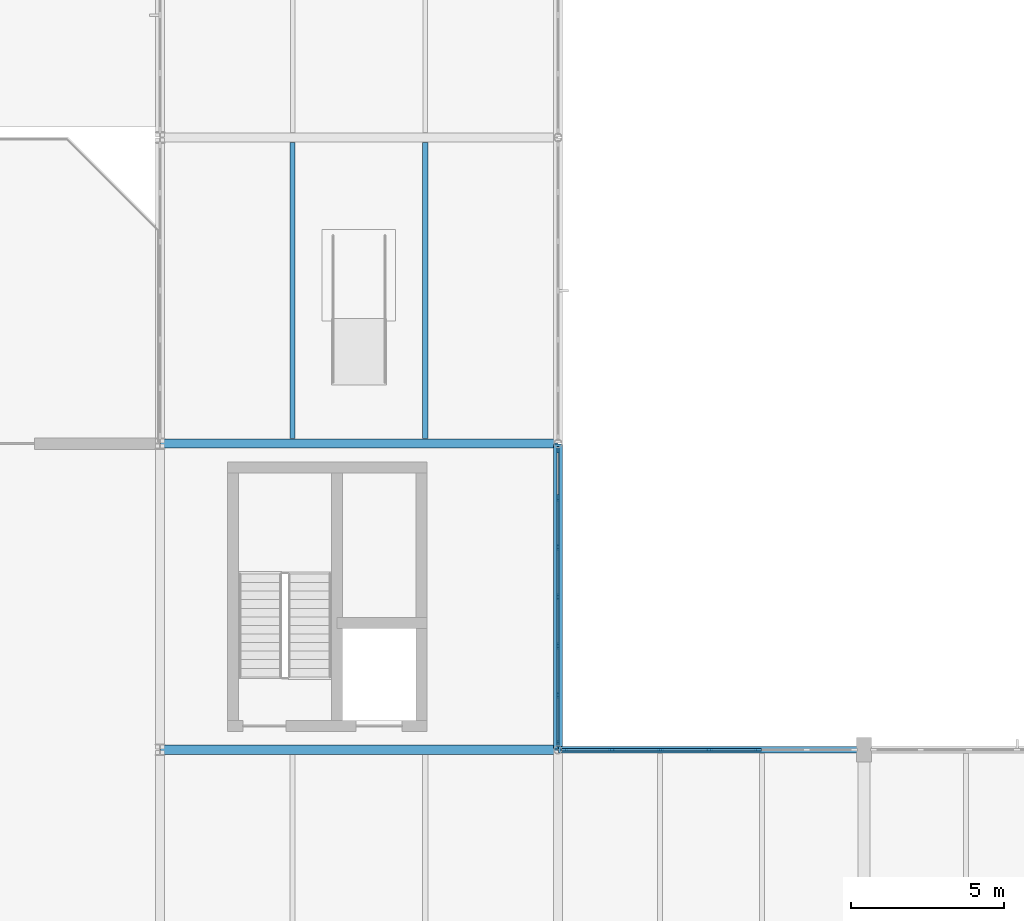
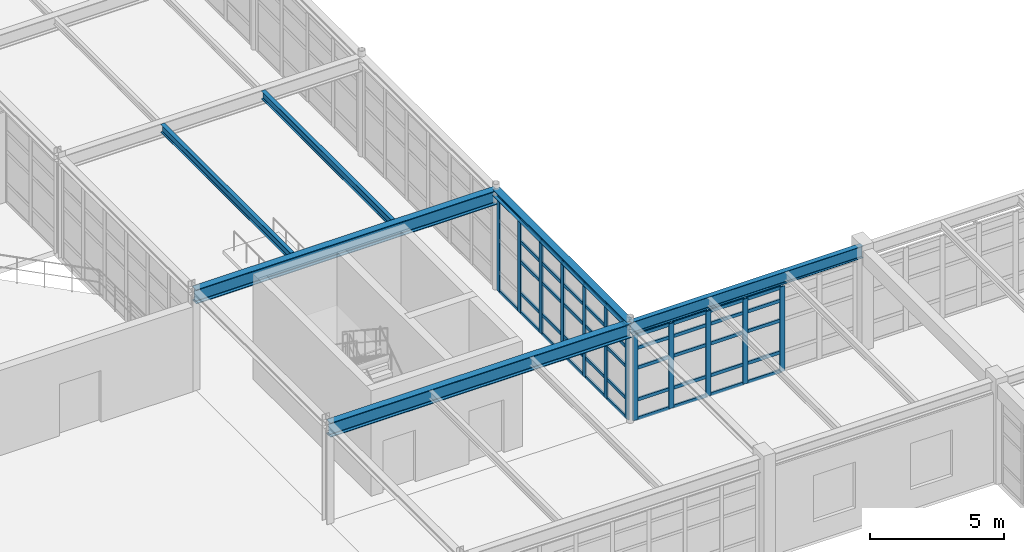
# One storey, part 74 of 139: 58 members, 6 beams, 2 elements without a shape of their own.
"""IFC4 building model written with IfcOpenShell, lengths in metres."""

from ifc_helpers import new_model, si_unit, direction, frame, origin, origin_2d, place, context, subcontext, project, spatial, rectangle, i_section, extrude, material, layer, layer_set, material_profile, profile_set, type_object, element, aggregate, save


model = new_model("IFC4")

# Units and contexts
model_context = context("Model", 3, precision=1e-05, world=origin(), true_north=direction((0.0, 1.0)))
body_context = subcontext(model_context, "Body", "Model", "MODEL_VIEW")
ifc_project = project(units=[si_unit("LENGTHUNIT", "METRE"), si_unit("AREAUNIT", "SQUARE_METRE"), si_unit("VOLUMEUNIT", "CUBIC_METRE"), si_unit("PLANEANGLEUNIT", "RADIAN"), si_unit("MASSUNIT", "GRAM", prefix="KILO"), si_unit("THERMODYNAMICTEMPERATUREUNIT", "KELVIN"), si_unit("POWERUNIT", "WATT")], contexts=[model_context])

# Site, building, storey
site_placement = place(None, origin())
site = spatial("IfcSite", under=ifc_project, at=site_placement, CompositionType="ELEMENT")
building_placement = place(site_placement, origin())
building = spatial("IfcBuilding", under=site, at=building_placement, Name="Korenveer Ferry Terminal", CompositionType="ELEMENT")
storey_placement = place(building_placement, frame((0.0, 0.0, 5.39990234375)))
storey = spatial("IfcBuildingStorey", under=building, at=storey_placement, Name="L01", CompositionType="ELEMENT", Elevation=5.39990234375)

# Curtain wall, members
ifc_material_1 = material(Name="Unitised bronze-and-glass curtain wall", Category="glass")
ifc_layer_1 = layer(ifc_material_1, 0.219970703125)
ifc_layer_set_1 = layer_set([ifc_layer_1], Name="Unitised bronze-and-glass curtain wall")
curtain_wall_type_1 = type_object("IfcCurtainWallType", Name="ENV-CW-53", PredefinedType="USERDEFINED", material=ifc_layer_set_1)
curtain_wall_1_placement = place(storey_placement, frame((136.16650390625, 80.0, 0.0)))
curtain_wall_1 = element("IfcCurtainWall", 1, at=curtain_wall_1_placement, inside=storey, type_object=curtain_wall_type_1, Name="Lancet curtain wall CWX-L01-X136-146-Y80-80", ObjectType="UNITISED CURTAIN WALL", PredefinedType="USERDEFINED")
ifc_material_2 = material(Name="Anodised bronze aluminium", Category="aluminium")
ifc_material_profile_1 = material_profile(ifc_material_2, rectangle(XDim=0.074951171875, YDim=0.219970703125, at=origin_2d()), Name="ALU 75x220")
ifc_profile_set_1 = profile_set([ifc_material_profile_1], Name="Anodised bronze aluminium")
member_type_1 = type_object("IfcMemberType", Name="ENV-CWM-75X220", PredefinedType="MULLION", material=ifc_profile_set_1)
member_1_placement = place(storey_placement, frame((136.2041015625, 80.0, 0.0), z_axis=(0.0, 0.0, 1.0), x_axis=(0.0, 1.0, 0.0)))
member_1 = element("IfcMember", 2, at=member_1_placement, type_object=member_type_1, Name="CW-53 mullion 1", PredefinedType="MULLION", context=body_context, shape_type="SweptSolid", body=[
    extrude(rectangle(XDim=0.074951171875, YDim=0.219970703125, at=origin_2d()), origin(), (0.0, 0.0, 1.0), 3.8701171875),
])
member_2_placement = place(storey_placement, frame((137.7587890625, 80.0, 0.0), z_axis=(0.0, 0.0, 1.0), x_axis=(0.0, 1.0, 0.0)))
member_2 = element("IfcMember", 3, at=member_2_placement, type_object=member_type_1, Name="CW-53 mullion 2", PredefinedType="MULLION", context=body_context, shape_type="SweptSolid", body=[
    extrude(rectangle(XDim=0.074951171875, YDim=0.219970703125, at=origin_2d()), origin(), (0.0, 0.0, 1.0), 3.8701171875),
])
member_3_placement = place(storey_placement, frame((139.35107421875, 80.0, 0.0), z_axis=(0.0, 0.0, 1.0), x_axis=(0.0, 1.0, 0.0)))
member_3 = element("IfcMember", 4, at=member_3_placement, type_object=member_type_1, Name="CW-53 mullion 3", PredefinedType="MULLION", context=body_context, shape_type="SweptSolid", body=[
    extrude(rectangle(XDim=0.074951171875, YDim=0.219970703125, at=origin_2d()), origin(), (0.0, 0.0, 1.0), 3.8701171875),
])
member_4_placement = place(storey_placement, frame((140.943359375, 80.0, 0.0), z_axis=(0.0, 0.0, 1.0), x_axis=(0.0, 1.0, 0.0)))
member_4 = element("IfcMember", 5, at=member_4_placement, type_object=member_type_1, Name="CW-53 mullion 4", PredefinedType="MULLION", context=body_context, shape_type="SweptSolid", body=[
    extrude(rectangle(XDim=0.074951171875, YDim=0.219970703125, at=origin_2d()), origin(), (0.0, 0.0, 1.0), 3.8701171875),
])
member_5_placement = place(storey_placement, frame((142.535400390625, 80.0, 0.0), z_axis=(0.0, 0.0, 1.0), x_axis=(0.0, 1.0, 0.0)))
member_5 = element("IfcMember", 6, at=member_5_placement, type_object=member_type_1, Name="CW-53 mullion 5", PredefinedType="MULLION", context=body_context, shape_type="SweptSolid", body=[
    extrude(rectangle(XDim=0.074951171875, YDim=0.219970703125, at=origin_2d()), origin(), (0.0, 0.0, 1.0), 3.8701171875),
])

ifc_layer_2 = layer(ifc_material_1, 0.219970703125)
ifc_layer_set_2 = layer_set([ifc_layer_2], Name="Unitised bronze-and-glass curtain wall")
curtain_wall_type_2 = type_object("IfcCurtainWallType", Name="ENV-CW-65", PredefinedType="USERDEFINED", material=ifc_layer_set_2)
curtain_wall_2_placement = place(storey_placement, frame((136.0, 89.83349609375, 0.0)))
curtain_wall_2 = element("IfcCurtainWall", 7, at=curtain_wall_2_placement, inside=storey, type_object=curtain_wall_type_2, Name="Lancet curtain wall CWX-L01-X136-136-Y80-90", ObjectType="UNITISED CURTAIN WALL", PredefinedType="USERDEFINED")
member_6_placement = place(storey_placement, frame((136.0, 89.7958984375, 0.0), z_axis=(0.0, 0.0, 1.0), x_axis=(1.0, 0.0, 0.0)))
member_6 = element("IfcMember", 8, at=member_6_placement, type_object=member_type_1, Name="CW-65 mullion 1", PredefinedType="MULLION", context=body_context, shape_type="SweptSolid", body=[
    extrude(rectangle(XDim=0.074951171875, YDim=0.219970703125, at=origin_2d()), origin(), (0.0, 0.0, 1.0), 4.22998046875),
])
member_7_placement = place(storey_placement, frame((136.0, 88.222412109375, 0.0), z_axis=(0.0, 0.0, 1.0), x_axis=(1.0, 0.0, 0.0)))
member_7 = element("IfcMember", 9, at=member_7_placement, type_object=member_type_1, Name="CW-65 mullion 2", PredefinedType="MULLION", context=body_context, shape_type="SweptSolid", body=[
    extrude(rectangle(XDim=0.074951171875, YDim=0.219970703125, at=origin_2d()), origin(), (0.0, 0.0, 1.0), 4.22998046875),
])
member_8_placement = place(storey_placement, frame((136.0, 86.611083984375, 0.0), z_axis=(0.0, 0.0, 1.0), x_axis=(1.0, 0.0, 0.0)))
member_8 = element("IfcMember", 10, at=member_8_placement, type_object=member_type_1, Name="CW-65 mullion 3", PredefinedType="MULLION", context=body_context, shape_type="SweptSolid", body=[
    extrude(rectangle(XDim=0.074951171875, YDim=0.219970703125, at=origin_2d()), origin(), (0.0, 0.0, 1.0), 4.22998046875),
])
member_9_placement = place(storey_placement, frame((136.0, 85.0, 0.0), z_axis=(0.0, 0.0, 1.0), x_axis=(1.0, 0.0, 0.0)))
member_9 = element("IfcMember", 11, at=member_9_placement, type_object=member_type_1, Name="CW-65 mullion 4", PredefinedType="MULLION", context=body_context, shape_type="SweptSolid", body=[
    extrude(rectangle(XDim=0.074951171875, YDim=0.219970703125, at=origin_2d()), origin(), (0.0, 0.0, 1.0), 4.22998046875),
])
member_10_placement = place(storey_placement, frame((136.0, 83.388916015625, 0.0), z_axis=(0.0, 0.0, 1.0), x_axis=(1.0, 0.0, 0.0)))
member_10 = element("IfcMember", 12, at=member_10_placement, type_object=member_type_1, Name="CW-65 mullion 5", PredefinedType="MULLION", context=body_context, shape_type="SweptSolid", body=[
    extrude(rectangle(XDim=0.074951171875, YDim=0.219970703125, at=origin_2d()), origin(), (0.0, 0.0, 1.0), 4.22998046875),
])
member_11_placement = place(storey_placement, frame((136.0, 81.777587890625, 0.0), z_axis=(0.0, 0.0, 1.0), x_axis=(1.0, 0.0, 0.0)))
member_11 = element("IfcMember", 13, at=member_11_placement, type_object=member_type_1, Name="CW-65 mullion 6", PredefinedType="MULLION", context=body_context, shape_type="SweptSolid", body=[
    extrude(rectangle(XDim=0.074951171875, YDim=0.219970703125, at=origin_2d()), origin(), (0.0, 0.0, 1.0), 4.22998046875),
])
member_12_placement = place(storey_placement, frame((136.0, 80.2041015625, 0.0), z_axis=(0.0, 0.0, 1.0), x_axis=(1.0, 0.0, 0.0)))
member_12 = element("IfcMember", 14, at=member_12_placement, type_object=member_type_1, Name="CW-65 mullion 7", PredefinedType="MULLION", context=body_context, shape_type="SweptSolid", body=[
    extrude(rectangle(XDim=0.074951171875, YDim=0.219970703125, at=origin_2d()), origin(), (0.0, 0.0, 1.0), 4.22998046875),
])

# Member
ifc_material_profile_2 = material_profile(ifc_material_2, rectangle(XDim=0.074951171875, YDim=0.14990234375, at=origin_2d()), Name="ALU 75x150")
ifc_profile_set_2 = profile_set([ifc_material_profile_2], Name="Anodised bronze aluminium")
member_type_2 = type_object("IfcMemberType", Name="ENV-CWT-75X150", PredefinedType="USERDEFINED", material=ifc_profile_set_2)
member_13_placement = place(storey_placement, frame((136.241455078125, 80.0, 0.03759765625), z_axis=(1.0, 0.0, 0.0), x_axis=(0.0, 1.0, 0.0)))
member_13 = element("IfcMember", 15, at=member_13_placement, type_object=member_type_2, Name="CW-53 transom 1.1", ObjectType="TRANSOM", PredefinedType="USERDEFINED", context=body_context, shape_type="SweptSolid", body=[
    extrude(rectangle(XDim=0.074951171875, YDim=0.14990234375, at=origin_2d()), origin(), (0.0, 0.0, 1.0), 1.479736328125),
])

member_14_placement = place(storey_placement, frame((136.241455078125, 80.0, 0.900146484375), z_axis=(1.0, 0.0, 0.0), x_axis=(0.0, 1.0, 0.0)))
member_14 = element("IfcMember", 16, at=member_14_placement, type_object=member_type_2, Name="CW-53 transom 1.2", ObjectType="TRANSOM", PredefinedType="USERDEFINED", context=body_context, shape_type="SweptSolid", body=[
    extrude(rectangle(XDim=0.074951171875, YDim=0.14990234375, at=origin_2d()), origin(), (0.0, 0.0, 1.0), 1.479736328125),
])

member_15_placement = place(storey_placement, frame((136.241455078125, 80.0, 2.35009765625), z_axis=(1.0, 0.0, 0.0), x_axis=(0.0, 1.0, 0.0)))
member_15 = element("IfcMember", 17, at=member_15_placement, type_object=member_type_2, Name="CW-53 transom 1.3", ObjectType="TRANSOM", PredefinedType="USERDEFINED", context=body_context, shape_type="SweptSolid", body=[
    extrude(rectangle(XDim=0.074951171875, YDim=0.14990234375, at=origin_2d()), origin(), (0.0, 0.0, 1.0), 1.479736328125),
])

member_16_placement = place(storey_placement, frame((136.241455078125, 80.0, 3.25), z_axis=(1.0, 0.0, 0.0), x_axis=(0.0, 1.0, 0.0)))
member_16 = element("IfcMember", 18, at=member_16_placement, type_object=member_type_2, Name="CW-53 transom 1.4", ObjectType="TRANSOM", PredefinedType="USERDEFINED", context=body_context, shape_type="SweptSolid", body=[
    extrude(rectangle(XDim=0.074951171875, YDim=0.14990234375, at=origin_2d()), origin(), (0.0, 0.0, 1.0), 1.479736328125),
])

member_17_placement = place(storey_placement, frame((136.241455078125, 80.0, 3.83251953125), z_axis=(1.0, 0.0, 0.0), x_axis=(0.0, 1.0, 0.0)))
member_17 = element("IfcMember", 19, at=member_17_placement, type_object=member_type_2, Name="CW-53 transom 1.5", ObjectType="TRANSOM", PredefinedType="USERDEFINED", context=body_context, shape_type="SweptSolid", body=[
    extrude(rectangle(XDim=0.074951171875, YDim=0.14990234375, at=origin_2d()), origin(), (0.0, 0.0, 1.0), 1.479736328125),
])

member_18_placement = place(storey_placement, frame((137.796142578125, 80.0, 0.03759765625), z_axis=(1.0, 0.0, 0.0), x_axis=(0.0, 1.0, 0.0)))
member_18 = element("IfcMember", 20, at=member_18_placement, type_object=member_type_2, Name="CW-53 transom 2.1", ObjectType="TRANSOM", PredefinedType="USERDEFINED", context=body_context, shape_type="SweptSolid", body=[
    extrude(rectangle(XDim=0.074951171875, YDim=0.14990234375, at=origin_2d()), origin(), (0.0, 0.0, 1.0), 1.517333984375),
])

member_19_placement = place(storey_placement, frame((137.796142578125, 80.0, 0.900146484375), z_axis=(1.0, 0.0, 0.0), x_axis=(0.0, 1.0, 0.0)))
member_19 = element("IfcMember", 21, at=member_19_placement, type_object=member_type_2, Name="CW-53 transom 2.2", ObjectType="TRANSOM", PredefinedType="USERDEFINED", context=body_context, shape_type="SweptSolid", body=[
    extrude(rectangle(XDim=0.074951171875, YDim=0.14990234375, at=origin_2d()), origin(), (0.0, 0.0, 1.0), 1.517333984375),
])

member_20_placement = place(storey_placement, frame((137.796142578125, 80.0, 2.35009765625), z_axis=(1.0, 0.0, 0.0), x_axis=(0.0, 1.0, 0.0)))
member_20 = element("IfcMember", 22, at=member_20_placement, type_object=member_type_2, Name="CW-53 transom 2.3", ObjectType="TRANSOM", PredefinedType="USERDEFINED", context=body_context, shape_type="SweptSolid", body=[
    extrude(rectangle(XDim=0.074951171875, YDim=0.14990234375, at=origin_2d()), origin(), (0.0, 0.0, 1.0), 1.517333984375),
])

member_21_placement = place(storey_placement, frame((137.796142578125, 80.0, 3.25), z_axis=(1.0, 0.0, 0.0), x_axis=(0.0, 1.0, 0.0)))
member_21 = element("IfcMember", 23, at=member_21_placement, type_object=member_type_2, Name="CW-53 transom 2.4", ObjectType="TRANSOM", PredefinedType="USERDEFINED", context=body_context, shape_type="SweptSolid", body=[
    extrude(rectangle(XDim=0.074951171875, YDim=0.14990234375, at=origin_2d()), origin(), (0.0, 0.0, 1.0), 1.517333984375),
])

member_22_placement = place(storey_placement, frame((137.796142578125, 80.0, 3.83251953125), z_axis=(1.0, 0.0, 0.0), x_axis=(0.0, 1.0, 0.0)))
member_22 = element("IfcMember", 24, at=member_22_placement, type_object=member_type_2, Name="CW-53 transom 2.5", ObjectType="TRANSOM", PredefinedType="USERDEFINED", context=body_context, shape_type="SweptSolid", body=[
    extrude(rectangle(XDim=0.074951171875, YDim=0.14990234375, at=origin_2d()), origin(), (0.0, 0.0, 1.0), 1.517333984375),
])

member_23_placement = place(storey_placement, frame((139.388427734375, 80.0, 0.03759765625), z_axis=(1.0, 0.0, 0.0), x_axis=(0.0, 1.0, 0.0)))
member_23 = element("IfcMember", 25, at=member_23_placement, type_object=member_type_2, Name="CW-53 transom 3.1", ObjectType="TRANSOM", PredefinedType="USERDEFINED", context=body_context, shape_type="SweptSolid", body=[
    extrude(rectangle(XDim=0.074951171875, YDim=0.14990234375, at=origin_2d()), origin(), (0.0, 0.0, 1.0), 1.517333984375),
])

member_24_placement = place(storey_placement, frame((139.388427734375, 80.0, 0.900146484375), z_axis=(1.0, 0.0, 0.0), x_axis=(0.0, 1.0, 0.0)))
member_24 = element("IfcMember", 26, at=member_24_placement, type_object=member_type_2, Name="CW-53 transom 3.2", ObjectType="TRANSOM", PredefinedType="USERDEFINED", context=body_context, shape_type="SweptSolid", body=[
    extrude(rectangle(XDim=0.074951171875, YDim=0.14990234375, at=origin_2d()), origin(), (0.0, 0.0, 1.0), 1.517333984375),
])

member_25_placement = place(storey_placement, frame((139.388427734375, 80.0, 2.35009765625), z_axis=(1.0, 0.0, 0.0), x_axis=(0.0, 1.0, 0.0)))
member_25 = element("IfcMember", 27, at=member_25_placement, type_object=member_type_2, Name="CW-53 transom 3.3", ObjectType="TRANSOM", PredefinedType="USERDEFINED", context=body_context, shape_type="SweptSolid", body=[
    extrude(rectangle(XDim=0.074951171875, YDim=0.14990234375, at=origin_2d()), origin(), (0.0, 0.0, 1.0), 1.517333984375),
])

member_26_placement = place(storey_placement, frame((139.388427734375, 80.0, 3.25), z_axis=(1.0, 0.0, 0.0), x_axis=(0.0, 1.0, 0.0)))
member_26 = element("IfcMember", 28, at=member_26_placement, type_object=member_type_2, Name="CW-53 transom 3.4", ObjectType="TRANSOM", PredefinedType="USERDEFINED", context=body_context, shape_type="SweptSolid", body=[
    extrude(rectangle(XDim=0.074951171875, YDim=0.14990234375, at=origin_2d()), origin(), (0.0, 0.0, 1.0), 1.517333984375),
])

member_27_placement = place(storey_placement, frame((139.388427734375, 80.0, 3.83251953125), z_axis=(1.0, 0.0, 0.0), x_axis=(0.0, 1.0, 0.0)))
member_27 = element("IfcMember", 29, at=member_27_placement, type_object=member_type_2, Name="CW-53 transom 3.5", ObjectType="TRANSOM", PredefinedType="USERDEFINED", context=body_context, shape_type="SweptSolid", body=[
    extrude(rectangle(XDim=0.074951171875, YDim=0.14990234375, at=origin_2d()), origin(), (0.0, 0.0, 1.0), 1.517333984375),
])

member_28_placement = place(storey_placement, frame((140.980712890625, 80.0, 0.03759765625), z_axis=(1.0, 0.0, 0.0), x_axis=(0.0, 1.0, 0.0)))
member_28 = element("IfcMember", 30, at=member_28_placement, type_object=member_type_2, Name="CW-53 transom 4.1", ObjectType="TRANSOM", PredefinedType="USERDEFINED", context=body_context, shape_type="SweptSolid", body=[
    extrude(rectangle(XDim=0.074951171875, YDim=0.14990234375, at=origin_2d()), origin(), (0.0, 0.0, 1.0), 1.517333984375),
])

member_29_placement = place(storey_placement, frame((140.980712890625, 80.0, 0.900146484375), z_axis=(1.0, 0.0, 0.0), x_axis=(0.0, 1.0, 0.0)))
member_29 = element("IfcMember", 31, at=member_29_placement, type_object=member_type_2, Name="CW-53 transom 4.2", ObjectType="TRANSOM", PredefinedType="USERDEFINED", context=body_context, shape_type="SweptSolid", body=[
    extrude(rectangle(XDim=0.074951171875, YDim=0.14990234375, at=origin_2d()), origin(), (0.0, 0.0, 1.0), 1.517333984375),
])

member_30_placement = place(storey_placement, frame((140.980712890625, 80.0, 2.35009765625), z_axis=(1.0, 0.0, 0.0), x_axis=(0.0, 1.0, 0.0)))
member_30 = element("IfcMember", 32, at=member_30_placement, type_object=member_type_2, Name="CW-53 transom 4.3", ObjectType="TRANSOM", PredefinedType="USERDEFINED", context=body_context, shape_type="SweptSolid", body=[
    extrude(rectangle(XDim=0.074951171875, YDim=0.14990234375, at=origin_2d()), origin(), (0.0, 0.0, 1.0), 1.517333984375),
])

member_31_placement = place(storey_placement, frame((140.980712890625, 80.0, 3.25), z_axis=(1.0, 0.0, 0.0), x_axis=(0.0, 1.0, 0.0)))
member_31 = element("IfcMember", 33, at=member_31_placement, type_object=member_type_2, Name="CW-53 transom 4.4", ObjectType="TRANSOM", PredefinedType="USERDEFINED", context=body_context, shape_type="SweptSolid", body=[
    extrude(rectangle(XDim=0.074951171875, YDim=0.14990234375, at=origin_2d()), origin(), (0.0, 0.0, 1.0), 1.517333984375),
])

member_32_placement = place(storey_placement, frame((140.980712890625, 80.0, 3.83251953125), z_axis=(1.0, 0.0, 0.0), x_axis=(0.0, 1.0, 0.0)))
member_32 = element("IfcMember", 34, at=member_32_placement, type_object=member_type_2, Name="CW-53 transom 4.5", ObjectType="TRANSOM", PredefinedType="USERDEFINED", context=body_context, shape_type="SweptSolid", body=[
    extrude(rectangle(XDim=0.074951171875, YDim=0.14990234375, at=origin_2d()), origin(), (0.0, 0.0, 1.0), 1.517333984375),
])

aggregate(curtain_wall_1, [member_1, member_2, member_3, member_4, member_5, member_13, member_14, member_15, member_16, member_17, member_18, member_19, member_20, member_21, member_22, member_23, member_24, member_25, member_26, member_27, member_28, member_29, member_30, member_31, member_32])

member_33_placement = place(storey_placement, frame((136.0, 89.758544921875, 0.03759765625), z_axis=(0.0, -1.0, 0.0), x_axis=(1.0, 0.0, 0.0)))
member_33 = element("IfcMember", 35, at=member_33_placement, type_object=member_type_2, Name="CW-65 transom 1.1", ObjectType="TRANSOM", PredefinedType="USERDEFINED", context=body_context, shape_type="SweptSolid", body=[
    extrude(rectangle(XDim=0.074951171875, YDim=0.14990234375, at=origin_2d()), origin(), (0.0, 0.0, 1.0), 1.498779296875),
])

member_34_placement = place(storey_placement, frame((136.0, 88.184814453125, 0.03759765625), z_axis=(0.0, -1.0, 0.0), x_axis=(1.0, 0.0, 0.0)))
member_34 = element("IfcMember", 36, at=member_34_placement, type_object=member_type_2, Name="CW-65 transom 2.1", ObjectType="TRANSOM", PredefinedType="USERDEFINED", context=body_context, shape_type="SweptSolid", body=[
    extrude(rectangle(XDim=0.074951171875, YDim=0.14990234375, at=origin_2d()), origin(), (0.0, 0.0, 1.0), 1.5361328125),
])

member_35_placement = place(storey_placement, frame((136.0, 88.184814453125, 0.900146484375), z_axis=(0.0, -1.0, 0.0), x_axis=(1.0, 0.0, 0.0)))
member_35 = element("IfcMember", 37, at=member_35_placement, type_object=member_type_2, Name="CW-65 transom 2.2", ObjectType="TRANSOM", PredefinedType="USERDEFINED", context=body_context, shape_type="SweptSolid", body=[
    extrude(rectangle(XDim=0.074951171875, YDim=0.14990234375, at=origin_2d()), origin(), (0.0, 0.0, 1.0), 1.5361328125),
])

member_36_placement = place(storey_placement, frame((136.0, 88.184814453125, 2.35009765625), z_axis=(0.0, -1.0, 0.0), x_axis=(1.0, 0.0, 0.0)))
member_36 = element("IfcMember", 38, at=member_36_placement, type_object=member_type_2, Name="CW-65 transom 2.3", ObjectType="TRANSOM", PredefinedType="USERDEFINED", context=body_context, shape_type="SweptSolid", body=[
    extrude(rectangle(XDim=0.074951171875, YDim=0.14990234375, at=origin_2d()), origin(), (0.0, 0.0, 1.0), 1.5361328125),
])

member_37_placement = place(storey_placement, frame((136.0, 88.184814453125, 3.25), z_axis=(0.0, -1.0, 0.0), x_axis=(1.0, 0.0, 0.0)))
member_37 = element("IfcMember", 39, at=member_37_placement, type_object=member_type_2, Name="CW-65 transom 2.4", ObjectType="TRANSOM", PredefinedType="USERDEFINED", context=body_context, shape_type="SweptSolid", body=[
    extrude(rectangle(XDim=0.074951171875, YDim=0.14990234375, at=origin_2d()), origin(), (0.0, 0.0, 1.0), 1.5361328125),
])

member_38_placement = place(storey_placement, frame((136.0, 88.184814453125, 4.192626953125), z_axis=(0.0, -1.0, 0.0), x_axis=(1.0, 0.0, 0.0)))
member_38 = element("IfcMember", 40, at=member_38_placement, type_object=member_type_2, Name="CW-65 transom 2.5", ObjectType="TRANSOM", PredefinedType="USERDEFINED", context=body_context, shape_type="SweptSolid", body=[
    extrude(rectangle(XDim=0.074951171875, YDim=0.14990234375, at=origin_2d()), origin(), (0.0, 0.0, 1.0), 1.5361328125),
])

member_39_placement = place(storey_placement, frame((136.0, 86.57373046875, 0.03759765625), z_axis=(0.0, -1.0, 0.0), x_axis=(1.0, 0.0, 0.0)))
member_39 = element("IfcMember", 41, at=member_39_placement, type_object=member_type_2, Name="CW-65 transom 3.1", ObjectType="TRANSOM", PredefinedType="USERDEFINED", context=body_context, shape_type="SweptSolid", body=[
    extrude(rectangle(XDim=0.074951171875, YDim=0.14990234375, at=origin_2d()), origin(), (0.0, 0.0, 1.0), 1.5361328125),
])

member_40_placement = place(storey_placement, frame((136.0, 86.57373046875, 0.900146484375), z_axis=(0.0, -1.0, 0.0), x_axis=(1.0, 0.0, 0.0)))
member_40 = element("IfcMember", 42, at=member_40_placement, type_object=member_type_2, Name="CW-65 transom 3.2", ObjectType="TRANSOM", PredefinedType="USERDEFINED", context=body_context, shape_type="SweptSolid", body=[
    extrude(rectangle(XDim=0.074951171875, YDim=0.14990234375, at=origin_2d()), origin(), (0.0, 0.0, 1.0), 1.5361328125),
])

member_41_placement = place(storey_placement, frame((136.0, 86.57373046875, 2.35009765625), z_axis=(0.0, -1.0, 0.0), x_axis=(1.0, 0.0, 0.0)))
member_41 = element("IfcMember", 43, at=member_41_placement, type_object=member_type_2, Name="CW-65 transom 3.3", ObjectType="TRANSOM", PredefinedType="USERDEFINED", context=body_context, shape_type="SweptSolid", body=[
    extrude(rectangle(XDim=0.074951171875, YDim=0.14990234375, at=origin_2d()), origin(), (0.0, 0.0, 1.0), 1.5361328125),
])

member_42_placement = place(storey_placement, frame((136.0, 86.57373046875, 3.25), z_axis=(0.0, -1.0, 0.0), x_axis=(1.0, 0.0, 0.0)))
member_42 = element("IfcMember", 44, at=member_42_placement, type_object=member_type_2, Name="CW-65 transom 3.4", ObjectType="TRANSOM", PredefinedType="USERDEFINED", context=body_context, shape_type="SweptSolid", body=[
    extrude(rectangle(XDim=0.074951171875, YDim=0.14990234375, at=origin_2d()), origin(), (0.0, 0.0, 1.0), 1.5361328125),
])

member_43_placement = place(storey_placement, frame((136.0, 86.57373046875, 4.192626953125), z_axis=(0.0, -1.0, 0.0), x_axis=(1.0, 0.0, 0.0)))
member_43 = element("IfcMember", 45, at=member_43_placement, type_object=member_type_2, Name="CW-65 transom 3.5", ObjectType="TRANSOM", PredefinedType="USERDEFINED", context=body_context, shape_type="SweptSolid", body=[
    extrude(rectangle(XDim=0.074951171875, YDim=0.14990234375, at=origin_2d()), origin(), (0.0, 0.0, 1.0), 1.5361328125),
])

member_44_placement = place(storey_placement, frame((136.0, 84.96240234375, 0.03759765625), z_axis=(0.0, -1.0, 0.0), x_axis=(1.0, 0.0, 0.0)))
member_44 = element("IfcMember", 46, at=member_44_placement, type_object=member_type_2, Name="CW-65 transom 4.1", ObjectType="TRANSOM", PredefinedType="USERDEFINED", context=body_context, shape_type="SweptSolid", body=[
    extrude(rectangle(XDim=0.074951171875, YDim=0.14990234375, at=origin_2d()), origin(), (0.0, 0.0, 1.0), 1.5361328125),
])

member_45_placement = place(storey_placement, frame((136.0, 84.96240234375, 0.900146484375), z_axis=(0.0, -1.0, 0.0), x_axis=(1.0, 0.0, 0.0)))
member_45 = element("IfcMember", 47, at=member_45_placement, type_object=member_type_2, Name="CW-65 transom 4.2", ObjectType="TRANSOM", PredefinedType="USERDEFINED", context=body_context, shape_type="SweptSolid", body=[
    extrude(rectangle(XDim=0.074951171875, YDim=0.14990234375, at=origin_2d()), origin(), (0.0, 0.0, 1.0), 1.5361328125),
])

member_46_placement = place(storey_placement, frame((136.0, 84.96240234375, 2.35009765625), z_axis=(0.0, -1.0, 0.0), x_axis=(1.0, 0.0, 0.0)))
member_46 = element("IfcMember", 48, at=member_46_placement, type_object=member_type_2, Name="CW-65 transom 4.3", ObjectType="TRANSOM", PredefinedType="USERDEFINED", context=body_context, shape_type="SweptSolid", body=[
    extrude(rectangle(XDim=0.074951171875, YDim=0.14990234375, at=origin_2d()), origin(), (0.0, 0.0, 1.0), 1.5361328125),
])

member_47_placement = place(storey_placement, frame((136.0, 84.96240234375, 3.25), z_axis=(0.0, -1.0, 0.0), x_axis=(1.0, 0.0, 0.0)))
member_47 = element("IfcMember", 49, at=member_47_placement, type_object=member_type_2, Name="CW-65 transom 4.4", ObjectType="TRANSOM", PredefinedType="USERDEFINED", context=body_context, shape_type="SweptSolid", body=[
    extrude(rectangle(XDim=0.074951171875, YDim=0.14990234375, at=origin_2d()), origin(), (0.0, 0.0, 1.0), 1.5361328125),
])

member_48_placement = place(storey_placement, frame((136.0, 84.96240234375, 4.192626953125), z_axis=(0.0, -1.0, 0.0), x_axis=(1.0, 0.0, 0.0)))
member_48 = element("IfcMember", 50, at=member_48_placement, type_object=member_type_2, Name="CW-65 transom 4.5", ObjectType="TRANSOM", PredefinedType="USERDEFINED", context=body_context, shape_type="SweptSolid", body=[
    extrude(rectangle(XDim=0.074951171875, YDim=0.14990234375, at=origin_2d()), origin(), (0.0, 0.0, 1.0), 1.5361328125),
])

member_49_placement = place(storey_placement, frame((136.0, 83.351318359375, 0.03759765625), z_axis=(0.0, -1.0, 0.0), x_axis=(1.0, 0.0, 0.0)))
member_49 = element("IfcMember", 51, at=member_49_placement, type_object=member_type_2, Name="CW-65 transom 5.1", ObjectType="TRANSOM", PredefinedType="USERDEFINED", context=body_context, shape_type="SweptSolid", body=[
    extrude(rectangle(XDim=0.074951171875, YDim=0.14990234375, at=origin_2d()), origin(), (0.0, 0.0, 1.0), 1.5361328125),
])

member_50_placement = place(storey_placement, frame((136.0, 83.351318359375, 0.900146484375), z_axis=(0.0, -1.0, 0.0), x_axis=(1.0, 0.0, 0.0)))
member_50 = element("IfcMember", 52, at=member_50_placement, type_object=member_type_2, Name="CW-65 transom 5.2", ObjectType="TRANSOM", PredefinedType="USERDEFINED", context=body_context, shape_type="SweptSolid", body=[
    extrude(rectangle(XDim=0.074951171875, YDim=0.14990234375, at=origin_2d()), origin(), (0.0, 0.0, 1.0), 1.5361328125),
])

member_51_placement = place(storey_placement, frame((136.0, 83.351318359375, 2.35009765625), z_axis=(0.0, -1.0, 0.0), x_axis=(1.0, 0.0, 0.0)))
member_51 = element("IfcMember", 53, at=member_51_placement, type_object=member_type_2, Name="CW-65 transom 5.3", ObjectType="TRANSOM", PredefinedType="USERDEFINED", context=body_context, shape_type="SweptSolid", body=[
    extrude(rectangle(XDim=0.074951171875, YDim=0.14990234375, at=origin_2d()), origin(), (0.0, 0.0, 1.0), 1.5361328125),
])

member_52_placement = place(storey_placement, frame((136.0, 83.351318359375, 3.25), z_axis=(0.0, -1.0, 0.0), x_axis=(1.0, 0.0, 0.0)))
member_52 = element("IfcMember", 54, at=member_52_placement, type_object=member_type_2, Name="CW-65 transom 5.4", ObjectType="TRANSOM", PredefinedType="USERDEFINED", context=body_context, shape_type="SweptSolid", body=[
    extrude(rectangle(XDim=0.074951171875, YDim=0.14990234375, at=origin_2d()), origin(), (0.0, 0.0, 1.0), 1.5361328125),
])

member_53_placement = place(storey_placement, frame((136.0, 83.351318359375, 4.192626953125), z_axis=(0.0, -1.0, 0.0), x_axis=(1.0, 0.0, 0.0)))
member_53 = element("IfcMember", 55, at=member_53_placement, type_object=member_type_2, Name="CW-65 transom 5.5", ObjectType="TRANSOM", PredefinedType="USERDEFINED", context=body_context, shape_type="SweptSolid", body=[
    extrude(rectangle(XDim=0.074951171875, YDim=0.14990234375, at=origin_2d()), origin(), (0.0, 0.0, 1.0), 1.5361328125),
])

member_54_placement = place(storey_placement, frame((136.0, 81.740234375, 0.03759765625), z_axis=(0.0, -1.0, 0.0), x_axis=(1.0, 0.0, 0.0)))
member_54 = element("IfcMember", 56, at=member_54_placement, type_object=member_type_2, Name="CW-65 transom 6.1", ObjectType="TRANSOM", PredefinedType="USERDEFINED", context=body_context, shape_type="SweptSolid", body=[
    extrude(rectangle(XDim=0.074951171875, YDim=0.14990234375, at=origin_2d()), origin(), (0.0, 0.0, 1.0), 1.498779296875),
])

member_55_placement = place(storey_placement, frame((136.0, 81.740234375, 0.900146484375), z_axis=(0.0, -1.0, 0.0), x_axis=(1.0, 0.0, 0.0)))
member_55 = element("IfcMember", 57, at=member_55_placement, type_object=member_type_2, Name="CW-65 transom 6.2", ObjectType="TRANSOM", PredefinedType="USERDEFINED", context=body_context, shape_type="SweptSolid", body=[
    extrude(rectangle(XDim=0.074951171875, YDim=0.14990234375, at=origin_2d()), origin(), (0.0, 0.0, 1.0), 1.498779296875),
])

member_56_placement = place(storey_placement, frame((136.0, 81.740234375, 2.35009765625), z_axis=(0.0, -1.0, 0.0), x_axis=(1.0, 0.0, 0.0)))
member_56 = element("IfcMember", 58, at=member_56_placement, type_object=member_type_2, Name="CW-65 transom 6.3", ObjectType="TRANSOM", PredefinedType="USERDEFINED", context=body_context, shape_type="SweptSolid", body=[
    extrude(rectangle(XDim=0.074951171875, YDim=0.14990234375, at=origin_2d()), origin(), (0.0, 0.0, 1.0), 1.498779296875),
])

member_57_placement = place(storey_placement, frame((136.0, 81.740234375, 3.25), z_axis=(0.0, -1.0, 0.0), x_axis=(1.0, 0.0, 0.0)))
member_57 = element("IfcMember", 59, at=member_57_placement, type_object=member_type_2, Name="CW-65 transom 6.4", ObjectType="TRANSOM", PredefinedType="USERDEFINED", context=body_context, shape_type="SweptSolid", body=[
    extrude(rectangle(XDim=0.074951171875, YDim=0.14990234375, at=origin_2d()), origin(), (0.0, 0.0, 1.0), 1.498779296875),
])

member_58_placement = place(storey_placement, frame((136.0, 81.740234375, 4.192626953125), z_axis=(0.0, -1.0, 0.0), x_axis=(1.0, 0.0, 0.0)))
member_58 = element("IfcMember", 60, at=member_58_placement, type_object=member_type_2, Name="CW-65 transom 6.5", ObjectType="TRANSOM", PredefinedType="USERDEFINED", context=body_context, shape_type="SweptSolid", body=[
    extrude(rectangle(XDim=0.074951171875, YDim=0.14990234375, at=origin_2d()), origin(), (0.0, 0.0, 1.0), 1.498779296875),
])

aggregate(curtain_wall_2, [member_6, member_7, member_8, member_9, member_10, member_11, member_12, member_33, member_34, member_35, member_36, member_37, member_38, member_39, member_40, member_41, member_42, member_43, member_44, member_45, member_46, member_47, member_48, member_49, member_50, member_51, member_52, member_53, member_54, member_55, member_56, member_57, member_58])

# Beams
ifc_material_3 = material(Name="Steel S355", Category="steel")
ifc_material_profile_3 = material_profile(ifc_material_3, i_section(OverallWidth=0.300048828125, OverallDepth=0.2900390625, WebThickness=0.008544921875, FlangeThickness=0.013916015625, FilletRadius=0.027099609375, at=origin_2d()), Name="HEA 300")
ifc_profile_set_3 = profile_set([ifc_material_profile_3], Name="Steel S355")
beam_type_1 = type_object("IfcBeamType", Name="STR-BM-HEA300", PredefinedType="BEAM", material=ifc_profile_set_3)
beam_1_placement = place(storey_placement, frame((136.0, 80.02001953125, 4.405029296875), z_axis=(0.0, 1.0, 0.0), x_axis=(-1.0, 0.0, 0.0)))
element("IfcBeam", 61, at=beam_1_placement, inside=storey, type_object=beam_type_1, Name="Primary Y girder BMY-L02-X136-Y80-90", PredefinedType="BEAM", context=body_context, shape_type="SweptSolid", body=[
    extrude(i_section(OverallWidth=0.300048828125, OverallDepth=0.2900390625, WebThickness=0.008544921875, FlangeThickness=0.013916015625, FilletRadius=0.027099609375, at=origin_2d()), origin(), (0.0, 0.0, 1.0), 9.9599609375),
])
ifc_material_profile_4 = material_profile(ifc_material_3, i_section(OverallWidth=0.300048828125, OverallDepth=0.64990234375, WebThickness=0.01611328125, FlangeThickness=0.031005859375, FilletRadius=0.027099609375, at=origin_2d()), Name="HEB 650")
ifc_profile_set_4 = profile_set([ifc_material_profile_4], Name="Steel S355")
beam_type_2 = type_object("IfcBeamType", Name="STR-BM-HEB650", PredefinedType="BEAM", material=ifc_profile_set_4)
for number, where, z_axis, x_axis, name in (
    (62, (123.02001953125, 80.0, 4.22509765625), (1.0, 0.0, 0.0), (0.0, 1.0, 0.0), "Primary X girder BMX-L02-X123-136-Y80"),
    (63, (123.02001953125, 90.0, 4.22509765625), (1.0, 0.0, 0.0), (0.0, 1.0, 0.0), "Primary X girder BMX-L02-X123-136-Y90"),
):
    element("IfcBeam", number, at=place(storey_placement, frame(where, z_axis=z_axis, x_axis=x_axis)), inside=storey, type_object=beam_type_2, Name=name, PredefinedType="BEAM", context=body_context, shape_type="SweptSolid", body=[
        extrude(i_section(OverallWidth=0.300048828125, OverallDepth=0.64990234375, WebThickness=0.01611328125, FlangeThickness=0.031005859375, FilletRadius=0.027099609375, at=origin_2d()), origin(), (0.0, 0.0, 1.0), 12.9599609375),
    ])
ifc_material_profile_5 = material_profile(ifc_material_3, i_section(OverallWidth=0.2099609375, OverallDepth=0.550048828125, WebThickness=0.010986328125, FlangeThickness=0.01708984375, FilletRadius=0.02392578125, at=origin_2d()), Name="IPE 550")
ifc_profile_set_5 = profile_set([ifc_material_profile_5], Name="Steel S355")
beam_type_3 = type_object("IfcBeamType", Name="STR-BM-IPE550", PredefinedType="BEAM", material=ifc_profile_set_5)
beam_2_placement = place(storey_placement, frame((136.02001953125, 80.0, 4.275146484375), z_axis=(1.0, 0.0, 0.0), x_axis=(0.0, 1.0, 0.0)))
element("IfcBeam", 64, at=beam_2_placement, inside=storey, type_object=beam_type_3, Name="Primary X girder BMX-L02-X136-146-Y80", PredefinedType="BEAM", context=body_context, shape_type="SweptSolid", body=[
    extrude(i_section(OverallWidth=0.2099609375, OverallDepth=0.550048828125, WebThickness=0.010986328125, FlangeThickness=0.01708984375, FilletRadius=0.02392578125, at=origin_2d()), origin(), (0.0, 0.0, 1.0), 9.9599609375),
])
ifc_material_profile_6 = material_profile(ifc_material_3, i_section(OverallWidth=0.169921875, OverallDepth=0.360107421875, WebThickness=0.008056640625, FlangeThickness=0.0126953125, FilletRadius=0.01806640625, at=origin_2d()), Name="IPE 360")
ifc_profile_set_6 = profile_set([ifc_material_profile_6], Name="Steel S355")
beam_type_4 = type_object("IfcBeamType", Name="STR-JST-IPE360", PredefinedType="JOIST", material=ifc_profile_set_6)
for number, where, z_axis, x_axis, name in (
    (65, (127.333251953125, 90.159912109375, 4.3701171875), (0.0, 1.0, 0.0), (-1.0, 0.0, 0.0), "Secondary composite joist JST-L02-X1273-Y90-100"),
    (66, (131.666748046875, 90.159912109375, 4.3701171875), (0.0, 1.0, 0.0), (-1.0, 0.0, 0.0), "Secondary composite joist JST-L02-X1317-Y90-100"),
):
    element("IfcBeam", number, at=place(storey_placement, frame(where, z_axis=z_axis, x_axis=x_axis)), inside=storey, type_object=beam_type_4, Name=name, PredefinedType="JOIST", context=body_context, shape_type="SweptSolid", body=[
        extrude(i_section(OverallWidth=0.169921875, OverallDepth=0.360107421875, WebThickness=0.008056640625, FlangeThickness=0.0126953125, FilletRadius=0.01806640625, at=origin_2d()), origin(), (0.0, 0.0, 1.0), 9.68017578125),
    ])

save(model, "model.ifc")
